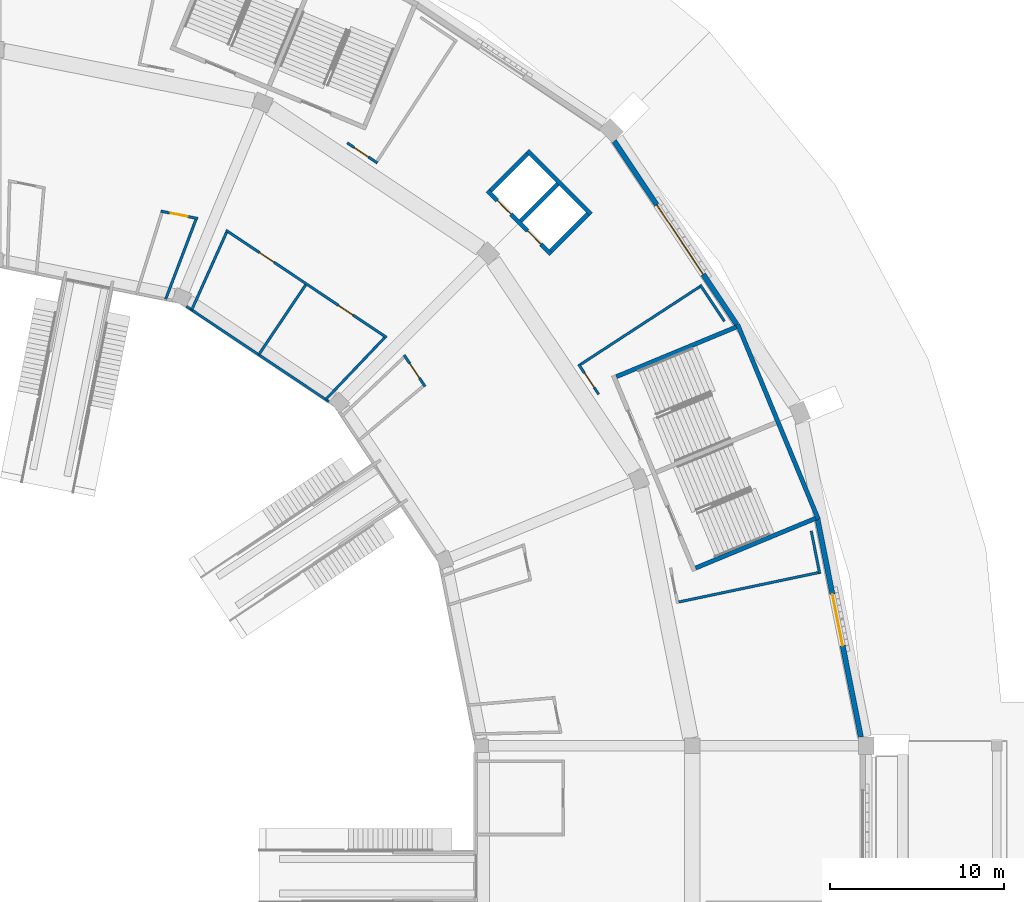
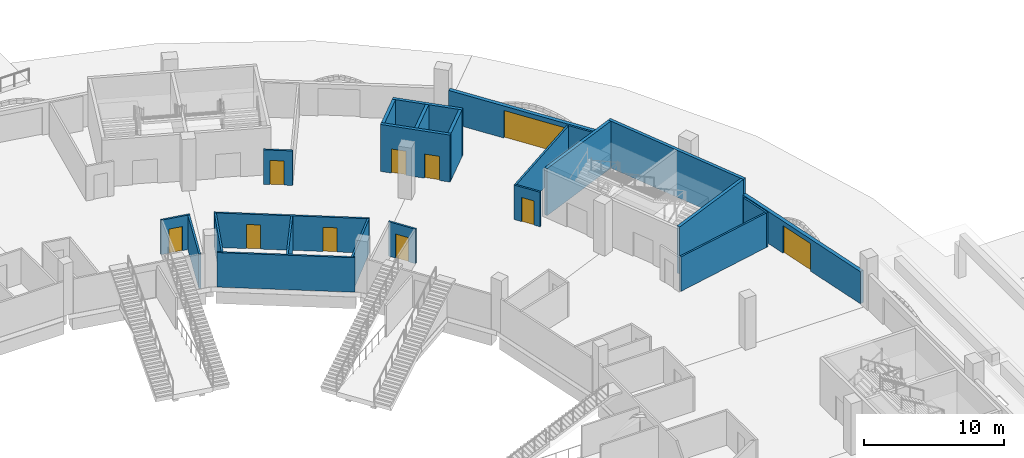
# One storey, part 42 of 175: 24 walls, 10 doors, 10 openings.
"""IFC4 building model written with IfcOpenShell, lengths in metres."""

from ifc_helpers import new_model, si_unit, direction, frame, frame_2d, origin, place, context, subcontext, project, spatial, rectangle, extrude, material, layer, layer_set, type_object, element, fill, save


model = new_model("IFC4")

# Units and contexts
model_context = context("Model", 3, precision=1e-05, world=origin(), true_north=direction((0.0, 1.0)))
body_context = subcontext(model_context, "Body", "Model", "MODEL_VIEW")
ifc_project = project(units=[si_unit("LENGTHUNIT", "METRE"), si_unit("AREAUNIT", "SQUARE_METRE"), si_unit("VOLUMEUNIT", "CUBIC_METRE"), si_unit("PLANEANGLEUNIT", "RADIAN"), si_unit("MASSUNIT", "GRAM", prefix="KILO")], contexts=[model_context])

# Site, building, storey
site_placement = place(None, origin())
site = spatial("IfcSite", under=ifc_project, at=site_placement, CompositionType="ELEMENT")
building_placement = place(site_placement, origin())
building = spatial("IfcBuilding", under=site, at=building_placement, Name="Ogive Plaza Stadium", CompositionType="ELEMENT")
storey_placement = place(building_placement, origin())
storey = spatial("IfcBuildingStorey", under=building, at=storey_placement, Name="L00", CompositionType="ELEMENT", Elevation=0.0)

# Wall, opening, door
ifc_material_1 = material(Name="Masonry blockwork", Category="masonry")
ifc_layer_1 = layer(ifc_material_1, 0.14990234375)
ifc_layer_set_1 = layer_set([ifc_layer_1], Name="Blockwork wall 150")
wall_type_1 = type_object("IfcWallType", Name="Blockwork wall 150", PredefinedType="SOLIDWALL", material=ifc_layer_set_1)
wall_1_placement = place(storey_placement, frame((45.59912109375, 82.792724609375, 0.0), z_axis=(0.0, 0.0, 1.0), x_axis=(-0.980788176969, 0.195075759432, 0.0)))
wall_1 = element("IfcWall", 1, at=wall_1_placement, inside=storey, type_object=wall_type_1, Name="Wall L00 B37", PredefinedType="SOLIDWALL", context=body_context, shape_type="SweptSolid", body=[
    extrude(rectangle(XDim=2.166259765625, YDim=0.14990234375, at=frame_2d((1.0830078125, 0.0))), origin(), (0.0, 0.0, 1.0), 3.0),
])
opening_1_placement = place(wall_1_placement, frame((0.583251953125, 0.0, 0.0)))
opening_1 = element("IfcOpeningElement", 2, at=opening_1_placement, cuts=wall_1, Name="Opening D0458", PredefinedType="OPENING", context=body_context, shape_type="SweptSolid", body=[
    extrude(rectangle(XDim=1.0, YDim=2.10009765625, at=frame_2d((0.5, 1.050048828125))), frame((0.0, 0.074951171875, 0.0), z_axis=(0.0, -1.0, 0.0), x_axis=(1.0, 0.0, 0.0)), (0.0, 0.0, 1.0), 0.14990234375),
])
ifc_material_2 = material(Name="Steel ASTM A572 Grade 50", Category="steel")
door_type_1 = type_object("IfcDoorType", Name="Door 1000 x 2100", OperationType="SINGLE_SWING_LEFT", PredefinedType="DOOR", material=ifc_material_2)
door_1_placement = place(opening_1_placement, origin())
door_1 = element("IfcDoor", 3, at=door_1_placement, inside=storey, type_object=door_type_1, Name="Concession Stand B37 door", OperationType="SINGLE_SWING_RIGHT", OverallHeight=2.10009765625, OverallWidth=1.0, PredefinedType="DOOR", context=body_context, shape_type="SweptSolid", body=[
    extrude(rectangle(XDim=1.0, YDim=2.10009765625, at=frame_2d((0.5, 1.050048828125))), frame((0.0, 0.02490234375, 0.0), z_axis=(0.0, -1.0, 0.0), x_axis=(1.0, 0.0, 0.0)), (0.0, 0.0, 1.0), 0.050048828125),
])
fill(opening_1, door_1)

# Wall
wall_2_placement = place(storey_placement, frame((43.752685546875, 78.16015625, 0.0), z_axis=(0.0, 0.0, 1.0), x_axis=(0.355265667312, 0.934765374642, 0.0)))
element("IfcWall", 4, at=wall_2_placement, inside=storey, type_object=wall_type_1, Name="Wall L00 B37", PredefinedType="SOLIDWALL", context=body_context, shape_type="SweptSolid", body=[
    extrude(rectangle(XDim=4.8984375, YDim=0.14990234375, at=frame_2d((2.44921875, 0.0))), origin(), (0.0, 0.0, 1.0), 3.0),
])

# Wall, openings, doors
wall_3_placement = place(storey_placement, frame((47.218505859375, 82.1220703125, 0.0), z_axis=(0.0, 0.0, 1.0), x_axis=(0.831461141198, -0.555582910715, 0.0)))
wall_3 = element("IfcWall", 5, at=wall_3_placement, inside=storey, type_object=wall_type_1, Name="Wall L00 B38", PredefinedType="SOLIDWALL", context=body_context, shape_type="SweptSolid", body=[
    extrude(rectangle(XDim=11.101806640625, YDim=0.14990234375, at=frame_2d((5.55078125, 0.0))), origin(), (0.0, 0.0, 1.0), 3.0),
])
opening_2_placement = place(wall_3_placement, frame((2.316162109375, 0.0, 0.0)))
opening_2 = element("IfcOpeningElement", 6, at=opening_2_placement, cuts=wall_3, Name="Opening D0461", PredefinedType="OPENING", context=body_context, shape_type="SweptSolid", body=[
    extrude(rectangle(XDim=1.0, YDim=2.10009765625, at=frame_2d((0.5, 1.050048828125))), frame((0.0, 0.074951171875, 0.0), z_axis=(0.0, -1.0, 0.0), x_axis=(1.0, 0.0, 0.0)), (0.0, 0.0, 1.0), 0.14990234375),
])
opening_3_placement = place(wall_3_placement, frame((7.785888671875, 0.0, 0.0)))
opening_3 = element("IfcOpeningElement", 7, at=opening_3_placement, cuts=wall_3, Name="Opening D0462", PredefinedType="OPENING", context=body_context, shape_type="SweptSolid", body=[
    extrude(rectangle(XDim=1.0, YDim=2.10009765625, at=frame_2d((0.5, 1.050048828125))), frame((0.0, 0.074951171875, 0.0), z_axis=(0.0, -1.0, 0.0), x_axis=(1.0, 0.0, 0.0)), (0.0, 0.0, 1.0), 0.14990234375),
])
door_2_placement = place(opening_2_placement, origin())
door_2 = element("IfcDoor", 8, at=door_2_placement, inside=storey, type_object=door_type_1, Name="First Aid Room B38 door", OperationType="SINGLE_SWING_LEFT", OverallHeight=2.10009765625, OverallWidth=1.0, PredefinedType="DOOR", context=body_context, shape_type="SweptSolid", body=[
    extrude(rectangle(XDim=1.0, YDim=2.10009765625, at=frame_2d((0.5, 1.050048828125))), frame((0.0, 0.02490234375, 0.0), z_axis=(0.0, -1.0, 0.0), x_axis=(1.0, 0.0, 0.0)), (0.0, 0.0, 1.0), 0.050048828125),
])
fill(opening_2, door_2)
door_3_placement = place(opening_3_placement, origin())
door_3 = element("IfcDoor", 9, at=door_3_placement, inside=storey, type_object=door_type_1, Name="Ticket and Retail Kiosk B38 door", OperationType="SINGLE_SWING_RIGHT", OverallHeight=2.10009765625, OverallWidth=1.0, PredefinedType="DOOR", context=body_context, shape_type="SweptSolid", body=[
    extrude(rectangle(XDim=1.0, YDim=2.10009765625, at=frame_2d((0.5, 1.050048828125))), frame((0.0, 0.02490234375, 0.0), z_axis=(0.0, -1.0, 0.0), x_axis=(1.0, 0.0, 0.0)), (0.0, 0.0, 1.0), 0.050048828125),
])
fill(opening_3, door_3)

# Walls
wall_4_placement = place(storey_placement, frame((45.248291015625, 77.54052734375, 0.0), z_axis=(0.0, 0.0, 1.0), x_axis=(0.409747004505, 0.912199206478, 0.0)))
element("IfcWall", 10, at=wall_4_placement, inside=storey, type_object=wall_type_1, Name="Wall L00 B38", PredefinedType="SOLIDWALL", context=body_context, shape_type="SweptSolid", body=[
    extrude(rectangle(XDim=4.8984375, YDim=0.14990234375, at=frame_2d((2.44921875, 0.0))), origin(), (0.0, 0.0, 1.0), 3.0),
])
wall_5_placement = place(storey_placement, frame((49.0986328125, 74.9677734375, 0.0), z_axis=(0.0, 0.0, 1.0), x_axis=(0.557740720303, 0.830015234147, 0.0)))
element("IfcWall", 11, at=wall_5_placement, inside=storey, type_object=wall_type_1, Name="Wall L00 B38", PredefinedType="SOLIDWALL", context=body_context, shape_type="SweptSolid", body=[
    extrude(rectangle(XDim=4.830322265625, YDim=0.14990234375, at=frame_2d((2.4150390625, 0.0))), origin(), (0.0, 0.0, 1.0), 3.0),
])
wall_6_placement = place(storey_placement, frame((52.948974609375, 72.39501953125, 0.0), z_axis=(0.0, 0.0, 1.0), x_axis=(0.689667606383, 0.724126088955, 0.0)))
element("IfcWall", 12, at=wall_6_placement, inside=storey, type_object=wall_type_1, Name="Wall L00 B38", PredefinedType="SOLIDWALL", context=body_context, shape_type="SweptSolid", body=[
    extrude(rectangle(XDim=4.90283203125, YDim=0.14990234375, at=frame_2d((2.451416015625, 0.0))), origin(), (0.0, 0.0, 1.0), 3.0),
])

# Wall, opening, door
wall_7_placement = place(storey_placement, frame((54.188232421875, 87.1376953125, 0.0), z_axis=(0.0, 0.0, 1.0), x_axis=(0.831435859109, -0.555620744921, 0.0)))
wall_7 = element("IfcWall", 13, at=wall_7_placement, inside=storey, type_object=wall_type_1, Name="Wall L00 B38", PredefinedType="SOLIDWALL", context=body_context, shape_type="SweptSolid", body=[
    extrude(rectangle(XDim=2.080078125, YDim=0.14990234375, at=frame_2d((1.0400390625, 0.0))), origin(), (0.0, 0.0, 1.0), 3.0),
])
opening_4_placement = place(wall_7_placement, frame((0.47216796875, 0.0, 0.0)))
opening_4 = element("IfcOpeningElement", 14, at=opening_4_placement, cuts=wall_7, Name="Opening D0463", PredefinedType="OPENING", context=body_context, shape_type="SweptSolid", body=[
    extrude(rectangle(XDim=1.0, YDim=2.10009765625, at=frame_2d((0.5, 1.050048828125))), frame((0.0, 0.074951171875, 0.0), z_axis=(0.0, -1.0, 0.0), x_axis=(1.0, 0.0, 0.0)), (0.0, 0.0, 1.0), 0.14990234375),
])
ifc_material_3 = material(Name="Steel ASTM A572 Grade 50", Category="steel")
door_type_2 = type_object("IfcDoorType", Name="Fire door FD60 1000 x 2100", OperationType="SINGLE_SWING_LEFT", PredefinedType="DOOR", material=ifc_material_3)
door_4_placement = place(opening_4_placement, origin())
door_4 = element("IfcDoor", 15, at=door_4_placement, inside=storey, type_object=door_type_2, Name="Cleaner's Store B38 door", OperationType="SINGLE_SWING_LEFT", OverallHeight=2.10009765625, OverallWidth=1.0, PredefinedType="DOOR", context=body_context, shape_type="SweptSolid", body=[
    extrude(rectangle(XDim=1.0, YDim=2.10009765625, at=frame_2d((0.5, 1.050048828125))), frame((0.0, 0.02490234375, 0.0), z_axis=(0.0, -1.0, 0.0), x_axis=(1.0, 0.0, 0.0)), (0.0, 0.0, 1.0), 0.050048828125),
])
fill(opening_4, door_4)

wall_8_placement = place(storey_placement, frame((68.6376953125, 72.688232421875, 0.0), z_axis=(0.0, 0.0, 1.0), x_axis=(-0.555620744921, 0.831435859109, 0.0)))
wall_8 = element("IfcWall", 16, at=wall_8_placement, inside=storey, type_object=wall_type_1, Name="Wall L00 B39", PredefinedType="SOLIDWALL", context=body_context, shape_type="SweptSolid", body=[
    extrude(rectangle(XDim=2.080078125, YDim=0.14990234375, at=frame_2d((1.0400390625, 0.0))), origin(), (0.0, 0.0, 1.0), 3.0),
])
opening_5_placement = place(wall_8_placement, frame((0.47216796875, 0.0, 0.0)))
opening_5 = element("IfcOpeningElement", 17, at=opening_5_placement, cuts=wall_8, Name="Opening D0465", PredefinedType="OPENING", context=body_context, shape_type="SweptSolid", body=[
    extrude(rectangle(XDim=1.0, YDim=2.10009765625, at=frame_2d((0.5, 1.050048828125))), frame((0.0, 0.074951171875, 0.0), z_axis=(0.0, -1.0, 0.0), x_axis=(1.0, 0.0, 0.0)), (0.0, 0.0, 1.0), 0.14990234375),
])
ifc_material_4 = material(Name="Steel ASTM A572 Grade 50", Category="steel")
door_type_3 = type_object("IfcDoorType", Name="Fire door FD90 1000 x 2100", OperationType="SINGLE_SWING_LEFT", PredefinedType="DOOR", material=ifc_material_4)
door_5_placement = place(opening_5_placement, origin())
door_5 = element("IfcDoor", 18, at=door_5_placement, inside=storey, type_object=door_type_3, Name="Electrical Room B39 door", OperationType="SINGLE_SWING_RIGHT", OverallHeight=2.10009765625, OverallWidth=1.0, PredefinedType="DOOR", context=body_context, shape_type="SweptSolid", body=[
    extrude(rectangle(XDim=1.0, YDim=2.10009765625, at=frame_2d((0.5, 1.050048828125))), frame((0.0, 0.02490234375, 0.0), z_axis=(0.0, -1.0, 0.0), x_axis=(1.0, 0.0, 0.0)), (0.0, 0.0, 1.0), 0.050048828125),
])
fill(opening_5, door_5)

# Walls
wall_9_placement = place(storey_placement, frame((75.853759765625, 76.89404296875, 0.0), z_axis=(0.0, 0.0, 1.0), x_axis=(-0.555596479569, 0.83145207432, 0.0)))
element("IfcWall", 19, at=wall_9_placement, inside=storey, type_object=wall_type_1, Name="Wall L00 B39", PredefinedType="SOLIDWALL", context=body_context, shape_type="SweptSolid", body=[
    extrude(rectangle(XDim=2.513427734375, YDim=0.14990234375, at=frame_2d((1.2568359375, 0.0))), origin(), (0.0, 0.0, 1.0), 3.0),
])
wall_10_placement = place(storey_placement, frame((67.581298828125, 74.401611328125, 0.0), z_axis=(0.0, 0.0, 1.0), x_axis=(0.837607631618, 0.546272327191, 0.0)))
element("IfcWall", 20, at=wall_10_placement, inside=storey, type_object=wall_type_1, Name="Wall L00 B39", PredefinedType="SOLIDWALL", context=body_context, shape_type="SweptSolid", body=[
    extrude(rectangle(XDim=8.18994140625, YDim=0.14990234375, at=frame_2d((4.094970703125, 0.0))), origin(), (0.0, 0.0, 1.0), 3.0),
])
wall_11_placement = place(storey_placement, frame((44.943603515625, 77.744140625, 0.0), z_axis=(0.0, 0.0, 1.0), x_axis=(0.83147031613, -0.555569179667, 0.0)))
element("IfcWall", 21, at=wall_11_placement, inside=storey, type_object=wall_type_1, Name="Stand rear wall B38", PredefinedType="SOLIDWALL", context=body_context, shape_type="SweptSolid", body=[
    extrude(rectangle(XDim=9.851318359375, YDim=0.14990234375, at=frame_2d((4.92578125, 0.0))), origin(), (0.0, 0.0, 1.0), 3.0),
])
ifc_material_5 = material(Name="Concrete C40/50", Category="concrete")
ifc_layer_2 = layer(ifc_material_5, 0.25)
ifc_layer_set_2 = layer_set([ifc_layer_2], Name="Concrete C40/50")
wall_type_2 = type_object("IfcWallType", Name="Core wall 250", PredefinedType="SHEAR", material=ifc_layer_set_2)
wall_12_placement = place(storey_placement, frame((81.257568359375, 65.499267578125, 0.0), z_axis=(0.0, 0.0, 1.0), x_axis=(-0.382671234792, 0.923884584817, 0.0)))
element("IfcWall", 22, at=wall_12_placement, inside=storey, type_object=wall_type_2, Name="Stair core R40 outer wall", PredefinedType="SHEAR", context=body_context, shape_type="SweptSolid", body=[
    extrude(rectangle(XDim=12.14990234375, YDim=0.25, at=frame_2d((6.074951171875, 0.0))), origin(), (0.0, 0.0, 1.0), 4.090087890625),
])
for number, where, z_axis, x_axis, name in (
    (23, (74.2021484375, 62.712158203125, 0.0), (0.0, 0.0, 1.0), (0.923887204407, 0.382664910245, 0.0), "Stair core R40 side wall"),
    (24, (69.648193359375, 73.706298828125, 0.0), (0.0, 0.0, 1.0), (0.923887204407, 0.382664910245, 0.0), "Stair core R40 side wall"),
):
    element("IfcWall", number, at=place(storey_placement, frame(where, z_axis=z_axis, x_axis=x_axis)), inside=storey, type_object=wall_type_2, Name=name, PredefinedType="SHEAR", context=body_context, shape_type="SweptSolid", body=[
        extrude(rectangle(XDim=7.460205078125, YDim=0.25, at=frame_2d((3.72998046875, 0.0))), origin(), (0.0, 0.0, 1.0), 4.090087890625),
    ])

# Wall, openings, doors
wall_13_placement = place(storey_placement, frame((65.890625, 80.7490234375, 0.0), z_axis=(0.0, 0.0, 1.0), x_axis=(-0.707106781187, 0.707106781187, 0.0)))
wall_13 = element("IfcWall", 25, at=wall_13_placement, inside=storey, type_object=wall_type_2, Name="Lift core LP39 landing wall", PredefinedType="SHEAR", context=body_context, shape_type="SweptSolid", body=[
    extrude(rectangle(XDim=5.14990234375, YDim=0.25, at=frame_2d((2.574951171875, 0.0))), origin(), (0.0, 0.0, 1.0), 4.090087890625),
])
opening_6_placement = place(wall_13_placement, frame((0.800048828125, 0.0, 0.0)))
opening_6 = element("IfcOpeningElement", 26, at=opening_6_placement, cuts=wall_13, Name="Opening LD093", PredefinedType="OPENING", context=body_context, shape_type="SweptSolid", body=[
    extrude(rectangle(XDim=1.10009765625, YDim=2.10009765625, at=frame_2d((0.550048828125, 1.050048828125))), frame((0.0, 0.125, 0.0), z_axis=(0.0, -1.0, 0.0), x_axis=(1.0, 0.0, 0.0)), (0.0, 0.0, 1.0), 0.25),
])
opening_7_placement = place(wall_13_placement, frame((3.25, 0.0, 0.0)))
opening_7 = element("IfcOpeningElement", 27, at=opening_7_placement, cuts=wall_13, Name="Opening LD094", PredefinedType="OPENING", context=body_context, shape_type="SweptSolid", body=[
    extrude(rectangle(XDim=1.10009765625, YDim=2.10009765625, at=frame_2d((0.550048828125, 1.050048828125))), frame((0.0, 0.125, 0.0), z_axis=(0.0, -1.0, 0.0), x_axis=(1.0, 0.0, 0.0)), (0.0, 0.0, 1.0), 0.25),
])
ifc_material_6 = material(Name="Steel ASTM A572 Grade 50", Category="steel")
door_type_4 = type_object("IfcDoorType", Name="Landing door 1100 x 2100", OperationType="SLIDING_TO_LEFT", PredefinedType="DOOR", material=ifc_material_6)
door_6_placement = place(opening_6_placement, origin())
door_6 = element("IfcDoor", 28, at=door_6_placement, inside=storey, type_object=door_type_4, Name="Lift landing door LP39 L00", OperationType="SLIDING_TO_LEFT", OverallHeight=2.10009765625, OverallWidth=1.10009765625, PredefinedType="DOOR", context=body_context, shape_type="SweptSolid", body=[
    extrude(rectangle(XDim=1.10009765625, YDim=2.10009765625, at=frame_2d((0.550048828125, 1.050048828125))), frame((0.0, 0.02490234375, 0.0), z_axis=(0.0, -1.0, 0.0), x_axis=(1.0, 0.0, 0.0)), (0.0, 0.0, 1.0), 0.050048828125),
])
fill(opening_6, door_6)
door_7_placement = place(opening_7_placement, origin())
door_7 = element("IfcDoor", 29, at=door_7_placement, inside=storey, type_object=door_type_4, Name="Lift landing door LP39 L00", OperationType="SLIDING_TO_LEFT", OverallHeight=2.10009765625, OverallWidth=1.10009765625, PredefinedType="DOOR", context=body_context, shape_type="SweptSolid", body=[
    extrude(rectangle(XDim=1.10009765625, YDim=2.10009765625, at=frame_2d((0.550048828125, 1.050048828125))), frame((0.0, 0.02490234375, 0.0), z_axis=(0.0, -1.0, 0.0), x_axis=(1.0, 0.0, 0.0)), (0.0, 0.0, 1.0), 0.050048828125),
])
fill(opening_7, door_7)

# Walls
wall_14_placement = place(storey_placement, frame((68.188720703125, 83.047119140625, 0.0), z_axis=(0.0, 0.0, 1.0), x_axis=(-0.707106781187, 0.707106781187, 0.0)))
element("IfcWall", 30, at=wall_14_placement, inside=storey, type_object=wall_type_2, Name="Lift core LP39 rear wall", PredefinedType="SHEAR", context=body_context, shape_type="SweptSolid", body=[
    extrude(rectangle(XDim=5.14990234375, YDim=0.25, at=frame_2d((2.574951171875, 0.0))), origin(), (0.0, 0.0, 1.0), 4.090087890625),
])
for number, where, z_axis, x_axis, name in (
    (31, (65.890625, 80.92578125, 0.0), (0.0, 0.0, 1.0), (0.707066087907, 0.707147472125, 0.0), "Lift core LP39 side wall"),
    (32, (62.42578125, 84.390625, 0.0), (0.0, 0.0, 1.0), (0.707147472125, 0.707066087907, 0.0), "Lift core LP39 side wall"),
):
    element("IfcWall", number, at=place(storey_placement, frame(where, z_axis=z_axis, x_axis=x_axis)), inside=storey, type_object=wall_type_2, Name=name, PredefinedType="SHEAR", context=body_context, shape_type="SweptSolid", body=[
        extrude(rectangle(XDim=2.999755859375, YDim=0.25, at=frame_2d((1.5, 0.0))), origin(), (0.0, 0.0, 1.0), 4.090087890625),
    ])
wall_15_placement = place(storey_placement, frame((64.158203125, 82.658203125, 0.0), z_axis=(0.0, 0.0, 1.0), x_axis=(0.707106781187, 0.707106781187, 0.0)))
element("IfcWall", 33, at=wall_15_placement, inside=storey, type_object=wall_type_2, Name="Lift core LP39 centre wall", PredefinedType="SHEAR", context=body_context, shape_type="SweptSolid", body=[
    extrude(rectangle(XDim=3.0, YDim=0.25, at=frame_2d((1.5, 0.0))), origin(), (0.0, 0.0, 1.0), 4.090087890625),
])

# Wall, opening, door
ifc_material_7 = material(Name="Gypsum board partition", Category="gypsum")
ifc_layer_3 = layer(ifc_material_7, 0.14990234375)
ifc_layer_set_3 = layer_set([ifc_layer_3], Name="Partition 150")
wall_type_3 = type_object("IfcWallType", Name="Partition 150", PredefinedType="PARTITIONING", material=ifc_layer_set_3)
wall_16_placement = place(storey_placement, frame((58.65771484375, 73.14794921875, 0.0), z_axis=(0.0, 0.0, 1.0), x_axis=(-0.555584101735, 0.831460345356, 0.0)))
wall_16 = element("IfcWall", 34, at=wall_16_placement, inside=storey, type_object=wall_type_3, Name="Wall L00 B39", PredefinedType="PARTITIONING", context=body_context, shape_type="SweptSolid", body=[
    extrude(rectangle(XDim=2.16650390625, YDim=0.14990234375, at=frame_2d((1.083251953125, 0.0))), origin(), (0.0, 0.0, 1.0), 3.0),
])
opening_8_placement = place(wall_16_placement, frame((0.583251953125, 0.0, 0.0)))
opening_8 = element("IfcOpeningElement", 35, at=opening_8_placement, cuts=wall_16, Name="Opening D0464", PredefinedType="OPENING", context=body_context, shape_type="SweptSolid", body=[
    extrude(rectangle(XDim=1.0, YDim=2.10009765625, at=frame_2d((0.5, 1.050048828125))), frame((0.0, 0.074951171875, 0.0), z_axis=(0.0, -1.0, 0.0), x_axis=(1.0, 0.0, 0.0)), (0.0, 0.0, 1.0), 0.14990234375),
])
door_8_placement = place(opening_8_placement, origin())
door_8 = element("IfcDoor", 36, at=door_8_placement, inside=storey, type_object=door_type_1, Name="First Aid Room B39 door", OperationType="SINGLE_SWING_LEFT", OverallHeight=2.10009765625, OverallWidth=1.0, PredefinedType="DOOR", context=body_context, shape_type="SweptSolid", body=[
    extrude(rectangle(XDim=1.0, YDim=2.10009765625, at=frame_2d((0.5, 1.050048828125))), frame((0.0, 0.02490234375, 0.0), z_axis=(0.0, -1.0, 0.0), x_axis=(1.0, 0.0, 0.0)), (0.0, 0.0, 1.0), 0.050048828125),
])
fill(opening_8, door_8)

# Walls
wall_17_placement = place(storey_placement, frame((80.84423828125, 64.845947265625, 0.0), z_axis=(0.0, 0.0, 1.0), x_axis=(0.195126097309, -0.980778163577, 0.0)))
element("IfcWall", 37, at=wall_17_placement, inside=storey, type_object=wall_type_3, Name="Wall L00 B40", PredefinedType="PARTITIONING", context=body_context, shape_type="SweptSolid", body=[
    extrude(rectangle(XDim=2.513671875, YDim=0.14990234375, at=frame_2d((1.2568359375, 0.0))), origin(), (0.0, 0.0, 1.0), 3.0),
])
wall_18_placement = place(storey_placement, frame((73.232177734375, 60.7587890625, 0.0), z_axis=(0.0, 0.0, 1.0), x_axis=(0.978549468707, 0.206011983374, 0.0)))
element("IfcWall", 38, at=wall_18_placement, inside=storey, type_object=wall_type_3, Name="Wall L00 B40", PredefinedType="PARTITIONING", context=body_context, shape_type="SweptSolid", body=[
    extrude(rectangle(XDim=8.190185546875, YDim=0.14990234375, at=frame_2d((4.09521484375, 0.0))), origin(), (0.0, 0.0, 1.0), 3.0),
])

# Wall, opening, door
ifc_material_8 = material(Name="Concrete C45/55 precast", Category="concrete")
ifc_layer_4 = layer(ifc_material_8, 0.25)
ifc_material_9 = material(Name="Cast stone (reconstituted limestone)", Category="masonry")
ifc_layer_5 = layer(ifc_material_9, 0.050048828125)
ifc_layer_set_4 = layer_set([ifc_layer_4, ifc_layer_5], Name="Concrete C45/55 precast, cast stone facing")
wall_type_4 = type_object("IfcWallType", Name="Portal infill wall 300 A", PredefinedType="SOLIDWALL", material=ifc_layer_set_4)
wall_19_placement = place(storey_placement, frame((69.522705078125, 87.244873046875, 0.0), z_axis=(0.0, 0.0, 1.0), x_axis=(0.555567697867, -0.831471306232, 0.0)))
wall_19 = element("IfcWall", 39, at=wall_19_placement, inside=storey, type_object=wall_type_4, Name="PORTAL WALL B39", PredefinedType="SOLIDWALL", context=body_context, shape_type="SweptSolid", body=[
    extrude(rectangle(XDim=12.659912109375, YDim=0.300048828125, at=frame_2d((6.330078125, 0.0))), origin(), (0.0, 0.0, 1.0), 2.7900390625),
])
opening_9_placement = place(wall_19_placement, frame((4.41162109375, 0.0, 0.0)))
opening_9 = element("IfcOpeningElement", 40, at=opening_9_placement, cuts=wall_19, Name="Opening D0039", PredefinedType="OPENING", context=body_context, shape_type="SweptSolid", body=[
    extrude(rectangle(XDim=4.800048828125, YDim=2.39990234375, at=frame_2d((2.39990234375, 1.199951171875))), frame((0.0, 0.16015625, 0.0), z_axis=(0.0, -1.0, 0.0), x_axis=(1.0, 0.0, 0.0)), (0.0, 0.0, 1.0), 0.320068359375),
])
ifc_material_10 = material(Name="Bronze-anodised aluminium and laminated glass", Category="aluminium")
door_type_5 = type_object("IfcDoorType", Name="Entrance door pair 4800 x 2400", OperationType="DOUBLE_DOOR_SINGLE_SWING", PredefinedType="DOOR", material=ifc_material_10)
door_9_placement = place(opening_9_placement, origin())
door_9 = element("IfcDoor", 41, at=door_9_placement, inside=storey, type_object=door_type_5, Name="Main entrance E20", OperationType="DOUBLE_DOOR_SINGLE_SWING", OverallHeight=2.39990234375, OverallWidth=4.800048828125, PredefinedType="DOOR", context=body_context, shape_type="SweptSolid", body=[
    extrude(rectangle(XDim=4.800048828125, YDim=2.39990234375, at=frame_2d((2.39990234375, 1.199951171875))), frame((0.0, 0.02490234375, 0.0), z_axis=(0.0, -1.0, 0.0), x_axis=(1.0, 0.0, 0.0)), (0.0, 0.0, 1.0), 0.050048828125),
])
fill(opening_9, door_9)

wall_20_placement = place(storey_placement, frame((81.2138671875, 65.481201171875, 0.0), z_axis=(0.0, 0.0, 1.0), x_axis=(0.195090378163, -0.980785269235, 0.0)))
wall_20 = element("IfcWall", 42, at=wall_20_placement, inside=storey, type_object=wall_type_4, Name="PORTAL WALL B40", PredefinedType="SOLIDWALL", context=body_context, shape_type="SweptSolid", body=[
    extrude(rectangle(XDim=12.725830078125, YDim=0.300048828125, at=frame_2d((6.36279296875, 0.0))), origin(), (0.0, 0.0, 1.0), 2.7900390625),
])
opening_10_placement = place(wall_20_placement, frame((4.363037109375, 0.0, 0.0)))
opening_10 = element("IfcOpeningElement", 43, at=opening_10_placement, cuts=wall_20, Name="Opening D0040", PredefinedType="OPENING", context=body_context, shape_type="SweptSolid", body=[
    extrude(rectangle(XDim=3.0, YDim=2.39990234375, at=frame_2d((1.5, 1.199951171875))), frame((0.0, 0.16015625, 0.0), z_axis=(0.0, -1.0, 0.0), x_axis=(1.0, 0.0, 0.0)), (0.0, 0.0, 1.0), 0.320068359375),
])
ifc_material_11 = material(Name="Bronze-anodised aluminium and laminated glass", Category="aluminium")
door_type_6 = type_object("IfcDoorType", Name="Exit gate door pair 3000 x 2400", OperationType="DOUBLE_DOOR_SINGLE_SWING", PredefinedType="DOOR", material=ifc_material_11)
door_10_placement = place(opening_10_placement, origin())
door_10 = element("IfcDoor", 44, at=door_10_placement, inside=storey, type_object=door_type_6, Name="Pedestrian exit gate G19", OperationType="DOUBLE_DOOR_SINGLE_SWING", OverallHeight=2.39990234375, OverallWidth=3.0, PredefinedType="DOOR", context=body_context, shape_type="SweptSolid", body=[
    extrude(rectangle(XDim=3.0, YDim=2.39990234375, at=frame_2d((1.5, 1.199951171875))), frame((0.0, 0.02490234375, 0.0), z_axis=(0.0, -1.0, 0.0), x_axis=(1.0, 0.0, 0.0)), (0.0, 0.0, 1.0), 0.050048828125),
])
fill(opening_10, door_10)

save(model, "model.ifc")
